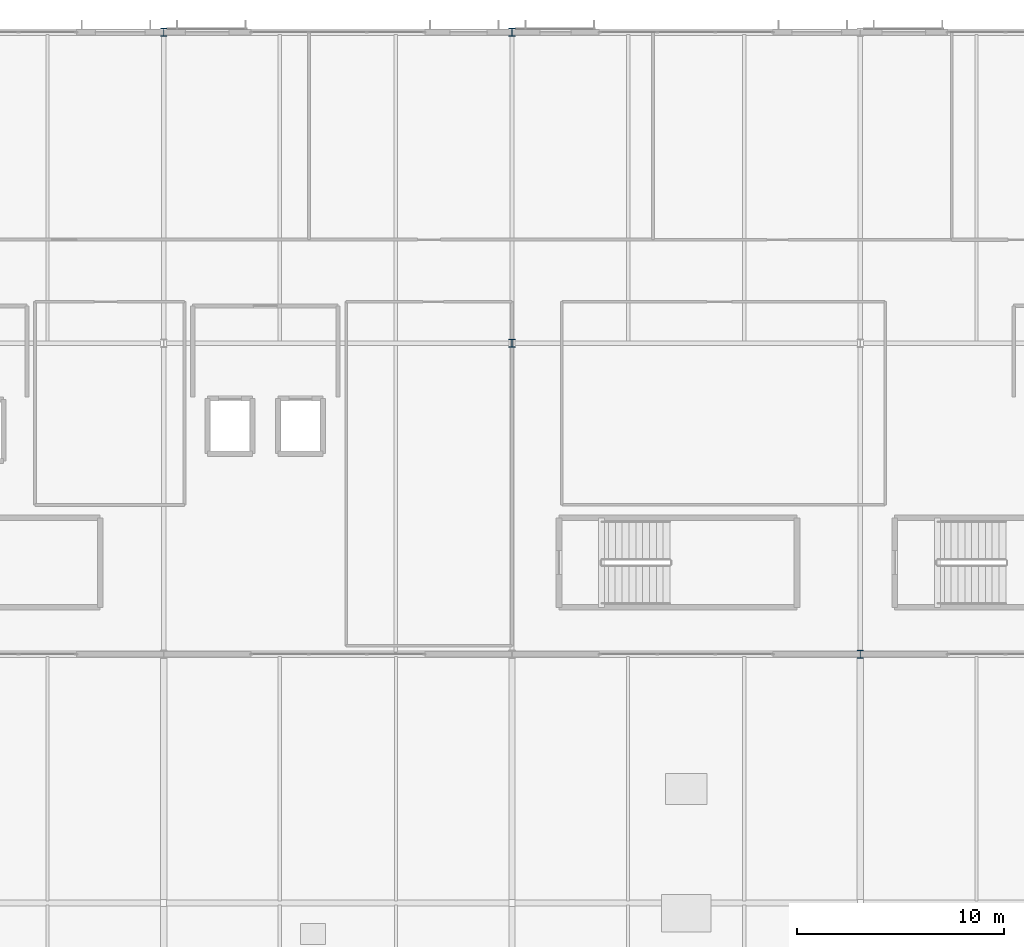
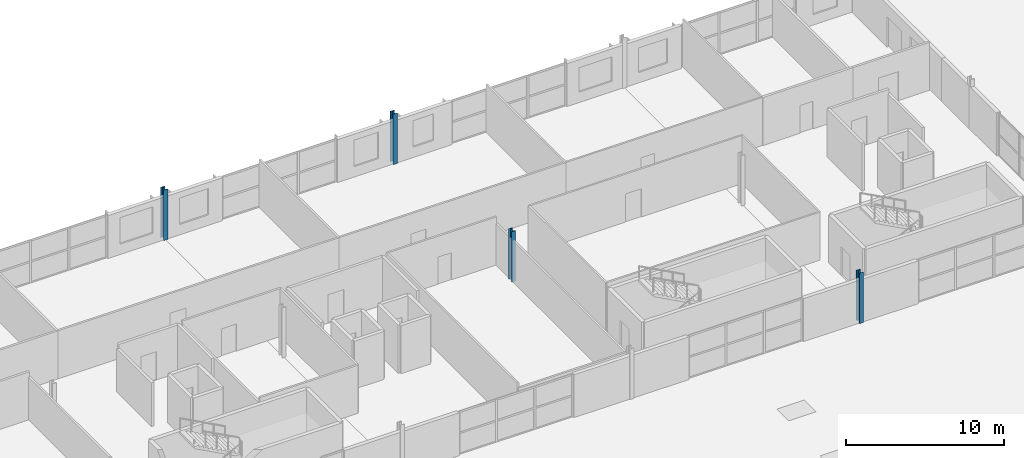
# One storey, part 4 of 36: 4 columns.
"""IFC4 building model written with IfcOpenShell, lengths in metres."""

from ifc_helpers import new_model, si_unit, direction, frame, origin, origin_2d, place, context, subcontext, project, spatial, i_section, extrude, material, material_profile, profile_set, type_object, element, save


model = new_model("IFC4")

# Units and contexts
model_context = context("Model", 3, precision=1e-05, world=origin(), true_north=direction((0.0, 1.0)))
body_context = subcontext(model_context, "Body", "Model", "MODEL_VIEW")
ifc_project = project(units=[si_unit("LENGTHUNIT", "METRE"), si_unit("AREAUNIT", "SQUARE_METRE"), si_unit("VOLUMEUNIT", "CUBIC_METRE"), si_unit("PLANEANGLEUNIT", "RADIAN"), si_unit("MASSUNIT", "GRAM", prefix="KILO")], contexts=[model_context])

# Site, building, storey
site_placement = place(None, origin())
site = spatial("IfcSite", under=ifc_project, at=site_placement, CompositionType="ELEMENT")
building_placement = place(site_placement, origin())
building = spatial("IfcBuilding", under=site, at=building_placement, Name="Kimbaza Rail Terminus", CompositionType="ELEMENT")
storey_placement = place(building_placement, frame((0.0, 0.0, 21.0)))
storey = spatial("IfcBuildingStorey", under=building, at=storey_placement, Name="L04", CompositionType="ELEMENT", Elevation=21.0)

# Columns
ifc_material = material(Name="Steel S355", Category="steel")
ifc_material_profile = material_profile(ifc_material, i_section(OverallWidth=0.300048828125, OverallDepth=0.39990234375, WebThickness=0.013427734375, FlangeThickness=0.02392578125, FilletRadius=0.027099609375, at=origin_2d()), Name="HEB 400")
ifc_profile_set = profile_set([ifc_material_profile], Name="Steel S355")
column_type = type_object("IfcColumnType", Name="STR-COL-HEB400", PredefinedType="COLUMN", material=ifc_profile_set)
for number, where, z_axis, x_axis, name in (
    (1, (88.800048828125, 133.0, 0.0), (0.0, 0.0, 1.0), (1.0, 0.0, 0.0), "Operations Column L04 (2,2)"),
    (2, (105.60009765625, 118.0, 0.0), (0.0, 0.0, 1.0), (1.0, 0.0, 0.0), "Operations Column L04 (3,1)"),
    (3, (105.60009765625, 133.0, 0.0), (0.0, 0.0, 1.0), (1.0, 0.0, 0.0), "Operations Column L04 (3,2)"),
    (4, (122.39990234375, 103.0, 0.0), (0.0, 0.0, 1.0), (1.0, 0.0, 0.0), "Operations Column L04 (4,0)"),
):
    element("IfcColumn", number, at=place(storey_placement, frame(where, z_axis=z_axis, x_axis=x_axis)), inside=storey, type_object=column_type, Name=name, PredefinedType="COLUMN", context=body_context, shape_type="SweptSolid", body=[
        extrude(i_section(OverallWidth=0.300048828125, OverallDepth=0.39990234375, WebThickness=0.013427734375, FlangeThickness=0.02392578125, FilletRadius=0.027099609375, at=origin_2d()), origin(), (0.0, 0.0, 1.0), 3.89990234375),
    ])

save(model, "model.ifc")
